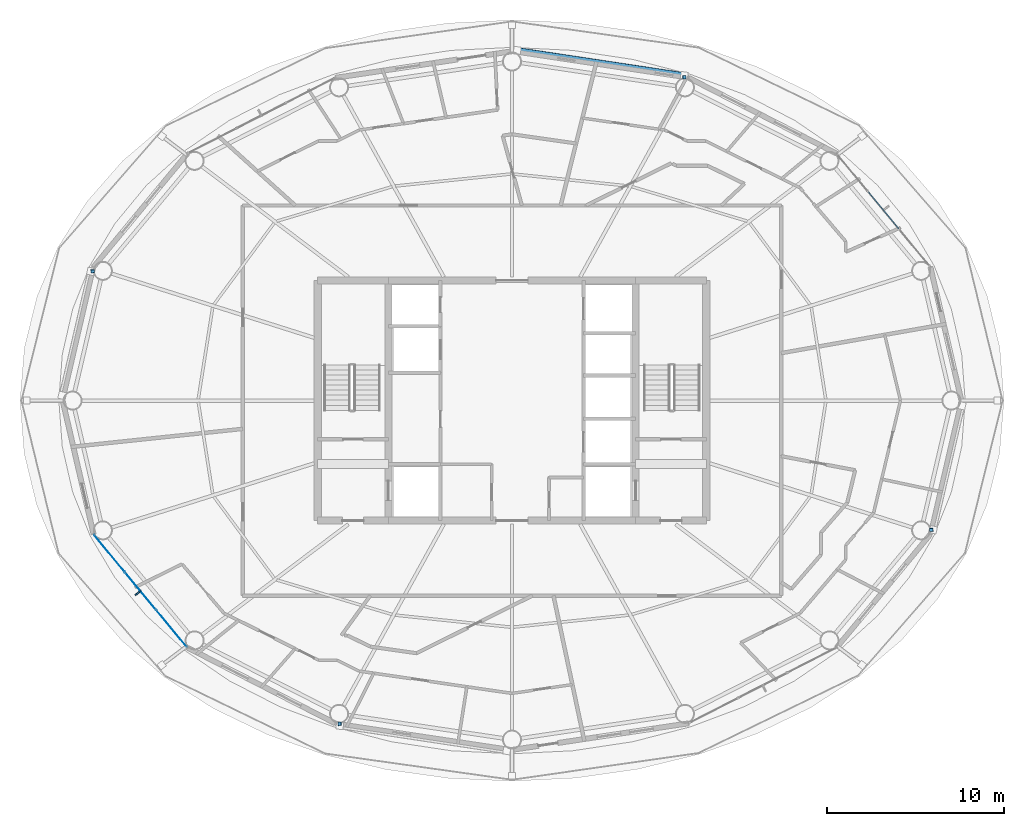
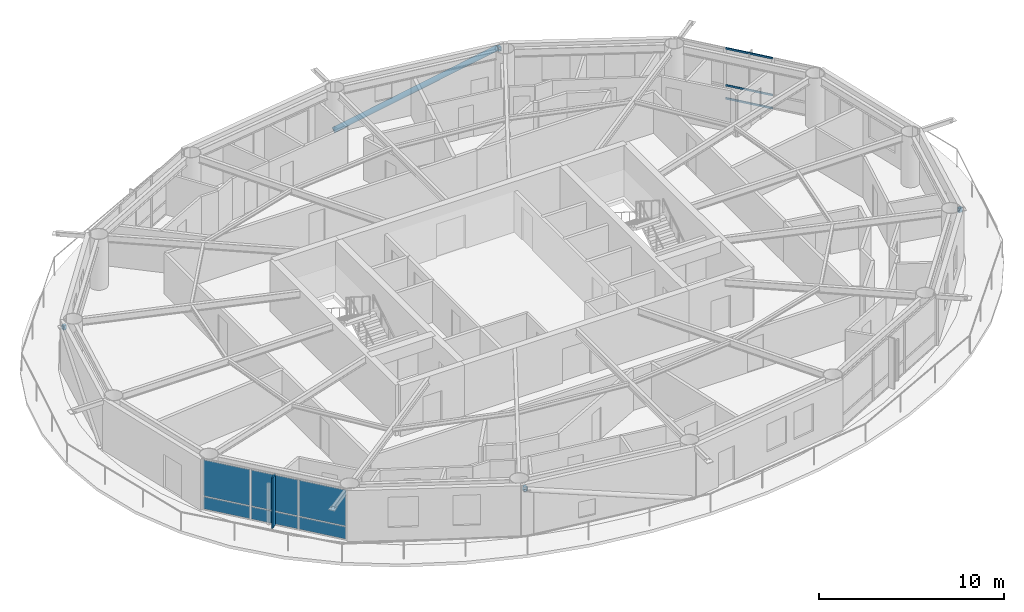
# One storey, part 12 of 23: 8 members, 7 plates, 2 elements without a shape of their own.
"""IFC4 building model written with IfcOpenShell, lengths in metres."""

from ifc_helpers import new_model, si_unit, direction, frame, origin, origin_2d, place, context, subcontext, project, spatial, rectangle, hollow_rectangle, hollow_circle, extrude, material, layer, layer_set, material_profile, profile_set, type_object, element, aggregate, save


model = new_model("IFC4")

# Units and contexts
model_context = context("Model", 3, precision=1e-05, world=origin(), true_north=direction((0.0, 1.0)))
body_context = subcontext(model_context, "Body", "Model", "MODEL_VIEW")
ifc_project = project(units=[si_unit("LENGTHUNIT", "METRE"), si_unit("AREAUNIT", "SQUARE_METRE"), si_unit("VOLUMEUNIT", "CUBIC_METRE"), si_unit("PLANEANGLEUNIT", "RADIAN"), si_unit("MASSUNIT", "GRAM", prefix="KILO")], contexts=[model_context])

# Site, building, storey
site_placement = place(None, origin())
site = spatial("IfcSite", under=ifc_project, at=site_placement, CompositionType="ELEMENT")
building_placement = place(site_placement, origin())
building = spatial("IfcBuilding", under=site, at=building_placement, Name="Sarneth Arch Tower", CompositionType="ELEMENT")
storey_placement = place(building_placement, frame((0.0, 0.0, 246.0)))
storey = spatial("IfcBuildingStorey", under=building, at=storey_placement, Name="L63", CompositionType="ELEMENT", Elevation=246.0)

# Curtain wall, members
ifc_material_1 = material(Name="Anodised aluminium Type AA25 and solar-control low-e laminated IGU", Category="aluminium")
ifc_layer_1 = layer(ifc_material_1, 0.179931640625)
ifc_layer_set_1 = layer_set([ifc_layer_1], Name="Anodised aluminium Type AA25 and solar-control low-e laminated IGU")
curtain_wall_type = type_object("IfcCurtainWallType", Name="CW-RES-HIGH", PredefinedType="NOTDEFINED", material=ifc_layer_set_1)
curtain_wall_1_placement = place(storey_placement, origin())
curtain_wall_1 = element("IfcCurtainWall", 1, at=curtain_wall_1_placement, inside=storey, type_object=curtain_wall_type, Name="L63 Unitised curtain wall facet 02", PredefinedType="NOTDEFINED")
ifc_material_2 = material(Name="Anodised Aluminium 6063-T6", Category="aluminium")
ifc_material_profile_1 = material_profile(ifc_material_2, hollow_rectangle(XDim=0.06005859375, YDim=0.1201171875, WallThickness=0.00390625, at=origin_2d()), Name="AL-TRAN-120x60x4")
ifc_profile_set_1 = profile_set([ifc_material_profile_1], Name="Anodised Aluminium 6063-T6")
member_type_1 = type_object("IfcMemberType", Name="CW-TRANSOM", PredefinedType="USERDEFINED", material=ifc_profile_set_1)
member_1_placement = place(storey_placement, frame((69.904296875, 51.731689453125, 0.030029296875), z_axis=(-0.637617371902, 0.770353222261, 0.0), x_axis=(-0.770353222261, -0.637617371902, 0.0)))
member_1 = element("IfcMember", 2, at=member_1_placement, type_object=member_type_1, Name="CW-SYS-6 transom 2.1", ObjectType="TRANSOM", PredefinedType="USERDEFINED", context=body_context, shape_type="SweptSolid", body=[
    extrude(hollow_rectangle(XDim=0.06005859375, YDim=0.1201171875, WallThickness=0.00390625, at=origin_2d()), origin(), (0.0, 0.0, 1.0), 2.716552734375),
])
member_2_placement = place(storey_placement, frame((69.904296875, 51.731689453125, 0.89990234375), z_axis=(-0.637617371902, 0.770353222261, 0.0), x_axis=(-0.770353222261, -0.637617371902, 0.0)))
member_2 = element("IfcMember", 3, at=member_2_placement, type_object=member_type_1, Name="CW-SYS-6 transom 2.2", ObjectType="TRANSOM", PredefinedType="USERDEFINED", context=body_context, shape_type="SweptSolid", body=[
    extrude(hollow_rectangle(XDim=0.06005859375, YDim=0.1201171875, WallThickness=0.00390625, at=origin_2d()), origin(), (0.0, 0.0, 1.0), 2.716552734375),
])
member_3_placement = place(storey_placement, frame((69.904296875, 51.731689453125, 3.330078125), z_axis=(-0.637617371902, 0.770353222261, 0.0), x_axis=(-0.770353222261, -0.637617371902, 0.0)))
member_3 = element("IfcMember", 4, at=member_3_placement, type_object=member_type_1, Name="CW-SYS-6 transom 2.3", ObjectType="TRANSOM", PredefinedType="USERDEFINED", context=body_context, shape_type="SweptSolid", body=[
    extrude(hollow_rectangle(XDim=0.06005859375, YDim=0.1201171875, WallThickness=0.00390625, at=origin_2d()), origin(), (0.0, 0.0, 1.0), 2.716552734375),
])
aggregate(curtain_wall_1, [member_1, member_2, member_3])

# Members
ifc_material_3 = material(Name="Steel S355", Category="steel")
ifc_material_profile_2 = material_profile(ifc_material_3, hollow_rectangle(XDim=0.199951171875, YDim=0.300048828125, WallThickness=0.012451171875, InnerFilletRadius=0.018798828125, OuterFilletRadius=0.03125, at=origin_2d()), Name="RHS300x200x12.5")
ifc_profile_set_2 = profile_set([ifc_material_profile_2], Name="Steel S355")
member_type_2 = type_object("IfcMemberType", Name="MEM-CANT-STRUT", PredefinedType="STRUT", material=ifc_profile_set_2)
member_4_placement = place(storey_placement, frame((57.76513671875, 60.210205078125, 3.03662109375), z_axis=(-0.054530394419, 0.998512111136, 0.0), x_axis=(-0.998512111136, -0.054530394419, 0.0)))
element("IfcMember", 5, at=member_4_placement, inside=storey, type_object=member_type_2, Name="L63 Exoskeleton brace node strut 04B", PredefinedType="STRUT", context=body_context, shape_type="SweptSolid", body=[
    extrude(hollow_rectangle(XDim=0.199951171875, YDim=0.300048828125, WallThickness=0.012451171875, InnerFilletRadius=0.018798828125, OuterFilletRadius=0.03125, at=origin_2d()), origin(), (0.0, 0.0, 1.0), 0.201416015625),
])
member_5_placement = place(storey_placement, frame((24.359130859375, 49.325439453125, 3.03662109375), z_axis=(-0.998875971008, -0.047400364365, 0.0), x_axis=(0.047400364365, -0.998875971008, 0.0)))
element("IfcMember", 6, at=member_5_placement, inside=storey, type_object=member_type_2, Name="L63 Exoskeleton brace node strut 08B", PredefinedType="STRUT", context=body_context, shape_type="SweptSolid", body=[
    extrude(hollow_rectangle(XDim=0.199951171875, YDim=0.300048828125, WallThickness=0.012451171875, InnerFilletRadius=0.018798828125, OuterFilletRadius=0.03125, at=origin_2d()), origin(), (0.0, 0.0, 1.0), 0.211181640625),
])
member_6_placement = place(storey_placement, frame((38.23486328125, 23.789794921875, 3.03662109375), z_axis=(0.054530394419, -0.998512111136, 0.0), x_axis=(0.998512111136, 0.054530394419, 0.0)))
element("IfcMember", 7, at=member_6_placement, inside=storey, type_object=member_type_2, Name="L63 Exoskeleton brace node strut 12B", PredefinedType="STRUT", context=body_context, shape_type="SweptSolid", body=[
    extrude(hollow_rectangle(XDim=0.199951171875, YDim=0.300048828125, WallThickness=0.012451171875, InnerFilletRadius=0.018798828125, OuterFilletRadius=0.03125, at=origin_2d()), origin(), (0.0, 0.0, 1.0), 0.201416015625),
])
member_7_placement = place(storey_placement, frame((71.640869140625, 34.674560546875, 3.03662109375), z_axis=(0.998875971008, 0.047400364365, 0.0), x_axis=(-0.047400364365, 0.998875971008, 0.0)))
element("IfcMember", 8, at=member_7_placement, inside=storey, type_object=member_type_2, Name="L63 Exoskeleton brace node strut 16B", PredefinedType="STRUT", context=body_context, shape_type="SweptSolid", body=[
    extrude(hollow_rectangle(XDim=0.199951171875, YDim=0.300048828125, WallThickness=0.012451171875, InnerFilletRadius=0.018798828125, OuterFilletRadius=0.03125, at=origin_2d()), origin(), (0.0, 0.0, 1.0), 0.211181640625),
])
ifc_material_4 = material(Name="Steel S355", Category="steel")
ifc_material_profile_3 = material_profile(ifc_material_4, hollow_circle(Radius=0.162109375, WallThickness=0.012451171875, at=origin_2d()), Name="CHS324x12.5")
ifc_profile_set_3 = profile_set([ifc_material_profile_3], Name="Steel S355")
member_type_3 = type_object("IfcMemberType", Name="MEM-DIAG-BR3", PredefinedType="BRACE", material=ifc_profile_set_3)
member_8_placement = place(storey_placement, frame((48.296630859375, 61.83544921875, 0.02001953125), z_axis=(0.943056107878, -0.142001297879, 0.300800280576), x_axis=(0.148897148305, 0.988852688335, 0.0)))
element("IfcMember", 9, at=member_8_placement, inside=storey, type_object=member_type_3, Name="L63 Perimeter frame diagonal 04", PredefinedType="BRACE", context=body_context, shape_type="SweptSolid", body=[
    extrude(hollow_circle(Radius=0.162109375, WallThickness=0.012451171875, at=origin_2d()), origin(), (0.0, 0.0, 1.0), 10.028564453125),
])

# Curtain wall, plates
curtain_wall_2_placement = place(storey_placement, origin())
curtain_wall_2 = element("IfcCurtainWall", 10, at=curtain_wall_2_placement, inside=storey, type_object=curtain_wall_type, Name="L63 Unitised curtain wall facet 10", PredefinedType="NOTDEFINED")
ifc_material_5 = material(Name="Solar-control low-e laminated IGU", Category="glass")
ifc_layer_2 = layer(ifc_material_5, 0.028076171875)
ifc_layer_set_2 = layer_set([ifc_layer_2], Name="Solar-control low-e laminated IGU")
plate_type_1 = type_object("IfcPlateType", Name="CW-PANEL", PredefinedType="CURTAIN_PANEL", material=ifc_layer_set_2)
plate_1_placement = place(storey_placement, frame((25.200927734375, 33.349365234375, 0.06005859375), z_axis=(0.0, 0.0, 1.0), x_axis=(0.637610094184, -0.770359245933, 0.0)))
plate_1 = element("IfcPlate", 11, at=plate_1_placement, type_object=plate_type_1, Name="Curtain wall glazed vision pane CW-L63-F10/P00-00", PredefinedType="CURTAIN_PANEL", context=body_context, shape_type="SweptSolid", body=[
    extrude(rectangle(XDim=2.686767578125, YDim=0.028076171875, at=origin_2d()), origin(), (0.0, 0.0, 1.0), 0.81005859375),
])
plate_2_placement = place(storey_placement, frame((25.200927734375, 33.349365234375, 0.929931640625), z_axis=(0.0, 0.0, 1.0), x_axis=(0.637610094184, -0.770359245933, 0.0)))
plate_2 = element("IfcPlate", 12, at=plate_2_placement, type_object=plate_type_1, Name="Curtain wall glazed vision pane CW-L63-F10/P00-01", PredefinedType="CURTAIN_PANEL", context=body_context, shape_type="SweptSolid", body=[
    extrude(rectangle(XDim=2.686767578125, YDim=0.028076171875, at=origin_2d()), origin(), (0.0, 0.0, 1.0), 2.3701171875),
])
plate_3_placement = place(storey_placement, frame((26.9619140625, 31.221923828125, 0.06005859375), z_axis=(0.0, 0.0, 1.0), x_axis=(0.637610094184, -0.770359245933, 0.0)))
plate_3 = element("IfcPlate", 13, at=plate_3_placement, type_object=plate_type_1, Name="Curtain wall glazed vision pane CW-L63-F10/P01-00", PredefinedType="CURTAIN_PANEL", context=body_context, shape_type="SweptSolid", body=[
    extrude(rectangle(XDim=2.716552734375, YDim=0.028076171875, at=origin_2d()), origin(), (0.0, 0.0, 1.0), 0.81005859375),
])
plate_4_placement = place(storey_placement, frame((26.9619140625, 31.221923828125, 0.929931640625), z_axis=(0.0, 0.0, 1.0), x_axis=(0.637610094184, -0.770359245933, 0.0)))
plate_4 = element("IfcPlate", 14, at=plate_4_placement, type_object=plate_type_1, Name="Curtain wall glazed vision pane CW-L63-F10/P01-01", PredefinedType="CURTAIN_PANEL", context=body_context, shape_type="SweptSolid", body=[
    extrude(rectangle(XDim=2.716552734375, YDim=0.028076171875, at=origin_2d()), origin(), (0.0, 0.0, 1.0), 2.3701171875),
])
plate_5_placement = place(storey_placement, frame((28.72265625, 29.094482421875, 0.06005859375), z_axis=(0.0, 0.0, 1.0), x_axis=(0.637610094184, -0.770359245933, 0.0)))
plate_5 = element("IfcPlate", 15, at=plate_5_placement, type_object=plate_type_1, Name="Curtain wall glazed vision pane CW-L63-F10/P02-00", PredefinedType="CURTAIN_PANEL", context=body_context, shape_type="SweptSolid", body=[
    extrude(rectangle(XDim=2.686767578125, YDim=0.028076171875, at=origin_2d()), origin(), (0.0, 0.0, 1.0), 0.81005859375),
])
plate_6_placement = place(storey_placement, frame((28.72265625, 29.094482421875, 0.929931640625), z_axis=(0.0, 0.0, 1.0), x_axis=(0.637610094184, -0.770359245933, 0.0)))
plate_6 = element("IfcPlate", 16, at=plate_6_placement, type_object=plate_type_1, Name="Curtain wall glazed vision pane CW-L63-F10/P02-01", PredefinedType="CURTAIN_PANEL", context=body_context, shape_type="SweptSolid", body=[
    extrude(rectangle(XDim=2.686767578125, YDim=0.028076171875, at=origin_2d()), origin(), (0.0, 0.0, 1.0), 2.3701171875),
])
aggregate(curtain_wall_2, [plate_1, plate_2, plate_3, plate_4, plate_5, plate_6])

# Plate
ifc_material_6 = material(Name="Extruded glazed terracotta baguette fin on Aluminium 6063-T6 carrier", Category="masonry")
ifc_layer_3 = layer(ifc_material_6, 0.080078125)
ifc_layer_set_3 = layer_set([ifc_layer_3], Name="Extruded glazed terracotta baguette fin on Aluminium 6063-T6 carrier")
plate_type_2 = type_object("IfcPlateType", Name="SHADE-TERRA-FIN", PredefinedType="SHEET", material=ifc_layer_set_3)
plate_7_placement = place(storey_placement, frame((26.830810546875, 31.113525390625, 0.009765625), z_axis=(0.0, 0.0, 1.0), x_axis=(-0.770401979567, -0.63755845997, 0.0)))
element("IfcPlate", 17, at=plate_7_placement, inside=storey, type_object=plate_type_2, Name="L63 Terracotta vertical shading fin 10", PredefinedType="SHEET", context=body_context, shape_type="SweptSolid", body=[
    extrude(rectangle(XDim=0.419921875, YDim=0.080078125, at=origin_2d()), origin(), (0.0, 0.0, 1.0), 3.340087890625),
])

save(model, "model.ifc")
